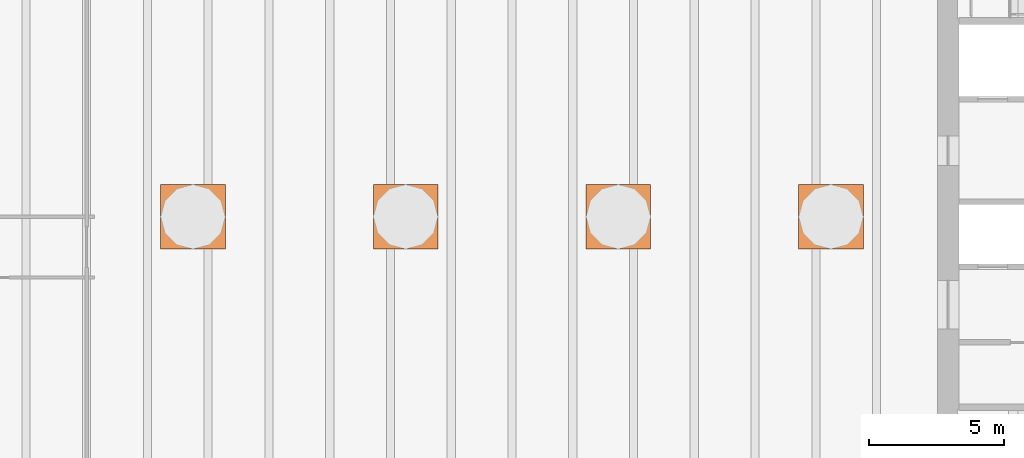
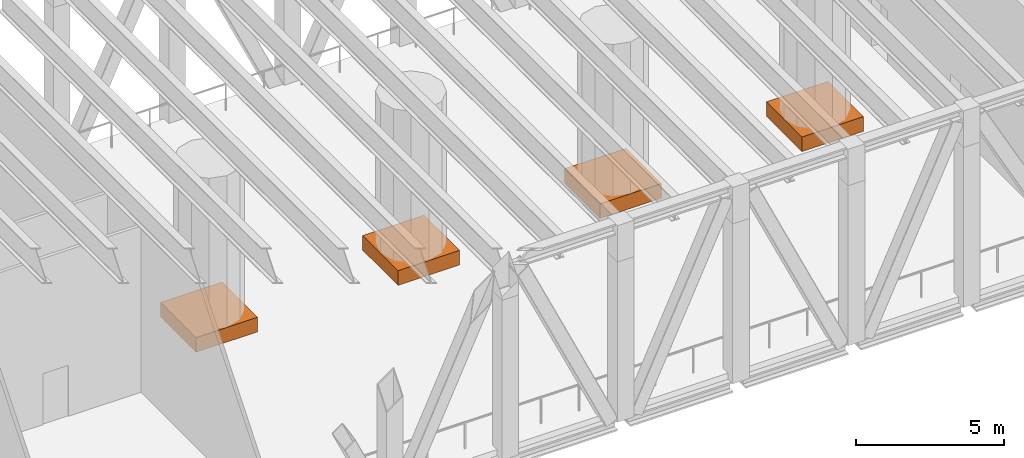
# One storey, part 11 of 11: 4 proxies.
"""IFC4 building model written with IfcOpenShell, lengths in metres."""

from ifc_helpers import new_model, si_unit, direction, frame, origin, origin_2d, place, context, subcontext, project, spatial, rectangle, extrude, material, type_object, element, save


model = new_model("IFC4")

# Units and contexts
model_context = context("Model", 3, precision=1e-05, world=origin(), true_north=direction((0.0, 1.0)))
body_context = subcontext(model_context, "Body", "Model", "MODEL_VIEW")
ifc_project = project(units=[si_unit("LENGTHUNIT", "METRE"), si_unit("AREAUNIT", "SQUARE_METRE"), si_unit("VOLUMEUNIT", "CUBIC_METRE"), si_unit("PLANEANGLEUNIT", "RADIAN"), si_unit("MASSUNIT", "GRAM", prefix="KILO")], contexts=[model_context])

# Site, building, storey
site_placement = place(None, origin())
site = spatial("IfcSite", under=ifc_project, at=site_placement, CompositionType="ELEMENT")
building_placement = place(site_placement, origin())
building = spatial("IfcBuilding", under=site, at=building_placement, Name="Sennacour Bend Tower", CompositionType="ELEMENT")
storey_placement = place(building_placement, frame((0.0, 0.0, 297.0)))
storey = spatial("IfcBuildingStorey", under=building, at=storey_placement, Name="L69", CompositionType="ELEMENT", Elevation=297.0)

# Proxies
ifc_material = material(Name="Concrete C40/50", Category="concrete")
building_element_proxy_type = type_object("IfcBuildingElementProxyType", Name="TURBINE PLINTH 2400", PredefinedType="USERDEFINED", material=ifc_material)
for number, where, z_axis, x_axis, name in (
    (1, (26.4375, 11.25, 0.0), (0.0, 0.0, 1.0), (1.0, 0.0, 0.0), "Turbine plinth 1"),
    (2, (34.3125, 11.25, 0.0), (0.0, 0.0, 1.0), (1.0, 0.0, 0.0), "Turbine plinth 2"),
    (3, (42.1875, 11.25, 0.0), (0.0, 0.0, 1.0), (1.0, 0.0, 0.0), "Turbine plinth 3"),
    (4, (50.0625, 11.25, 0.0), (0.0, 0.0, 1.0), (1.0, 0.0, 0.0), "Turbine plinth 4"),
):
    element("IfcBuildingElementProxy", number, at=place(storey_placement, frame(where, z_axis=z_axis, x_axis=x_axis)), inside=storey, type_object=building_element_proxy_type, Name=name, ObjectType="PLINTH", PredefinedType="USERDEFINED", context=body_context, shape_type="SweptSolid", body=[
        extrude(rectangle(XDim=2.39990234375, YDim=2.39990234375, at=origin_2d()), origin(), (0.0, 0.0, 1.0), 0.60009765625),
    ])

save(model, "model.ifc")
